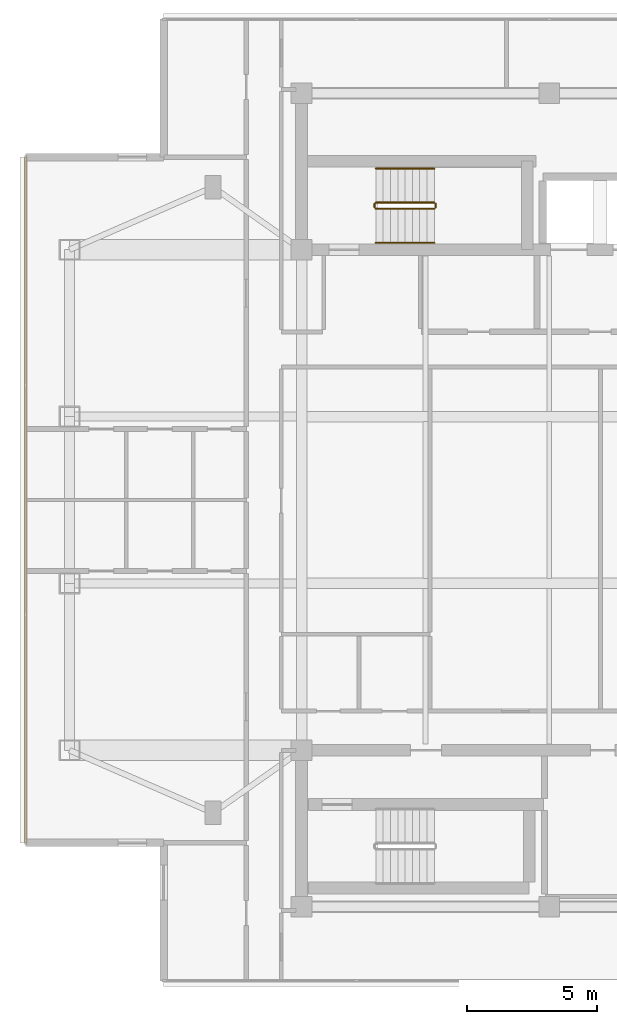
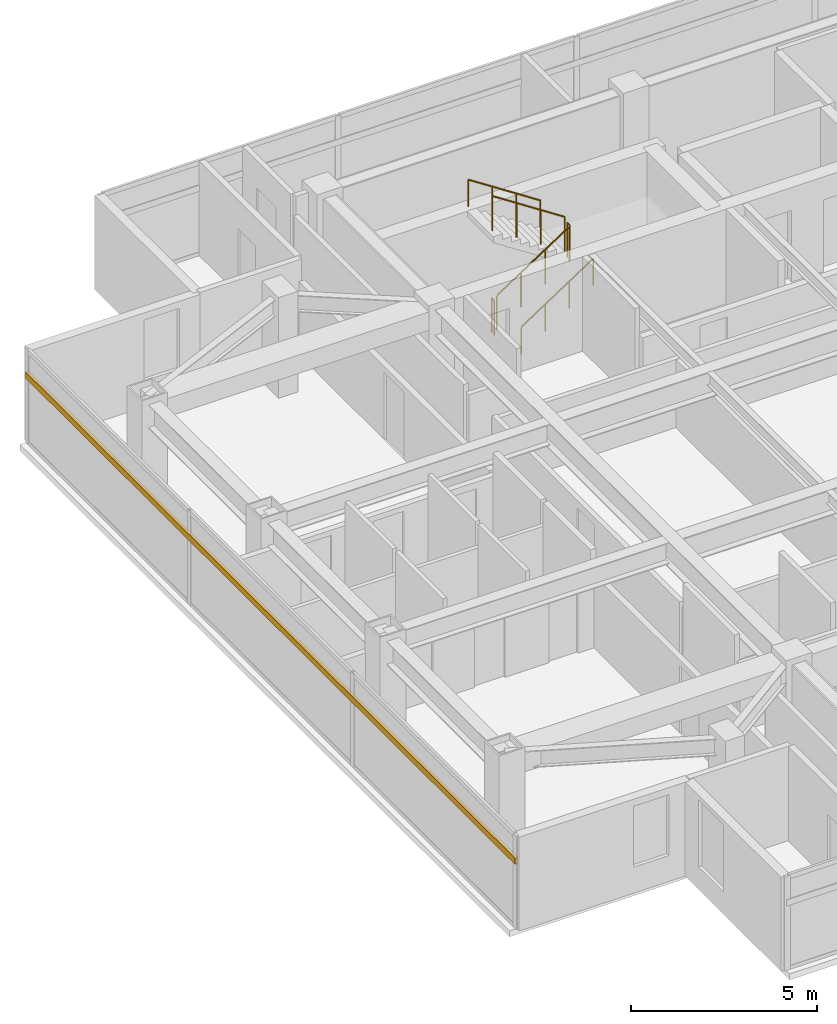
# One storey, part 11 of 12: 6 railings, 1 shading device.
"""IFC4 building model written with IfcOpenShell, lengths in metres."""

from ifc_helpers import new_model, si_unit, direction, frame, origin, origin_2d, place, context, subcontext, project, spatial, rectangle, circle, extrude, material, material_profile, profile_set, type_object, element, save


model = new_model("IFC4")

# Units and contexts
model_context = context("Model", 3, precision=1e-05, world=origin(), true_north=direction((0.0, 1.0)))
body_context = subcontext(model_context, "Body", "Model", "MODEL_VIEW")
ifc_project = project(units=[si_unit("LENGTHUNIT", "METRE"), si_unit("AREAUNIT", "SQUARE_METRE"), si_unit("VOLUMEUNIT", "CUBIC_METRE"), si_unit("PLANEANGLEUNIT", "RADIAN"), si_unit("MASSUNIT", "GRAM", prefix="KILO")], contexts=[model_context])

# Site, building, storey
site_placement = place(None, origin())
site = spatial("IfcSite", under=ifc_project, at=site_placement, CompositionType="ELEMENT")
building_placement = place(site_placement, origin())
building = spatial("IfcBuilding", under=site, at=building_placement, Name="Mirazonda Arch Towers", CompositionType="ELEMENT")
storey_placement = place(building_placement, frame((0.0, 0.0, 219.39990234375)))
storey = spatial("IfcBuildingStorey", under=building, at=storey_placement, Name="L62", CompositionType="ELEMENT", Elevation=219.39990234375)

# Shading device
ifc_material_1 = material(Name="Kiln-Fired Architectural Terracotta", Category="masonry")
ifc_material_profile = material_profile(ifc_material_1, rectangle(XDim=0.10009765625, YDim=0.199951171875, at=origin_2d()), Name="TERRA-BAG-100x200")
ifc_profile_set = profile_set([ifc_material_profile], Name="Kiln-Fired Architectural Terracotta")
shading_device_type = type_object("IfcShadingDeviceType", Name="BAGUETTE-2", PredefinedType="USERDEFINED", material=ifc_profile_set)
shading_device_placement = place(storey_placement, frame((0.419921875, 41.14990234375, 2.2177734375), z_axis=(0.0, -1.0, 0.0), x_axis=(1.0, 0.0, 0.0)))
element("IfcShadingDevice", 1, at=shading_device_placement, inside=storey, type_object=shading_device_type, Name="L62 Glazed Terracotta Sun-Screen Baguette CW-L62-T1-W", ObjectType="BAGUETTE", PredefinedType="USERDEFINED", context=body_context, shape_type="SweptSolid", body=[
    extrude(rectangle(XDim=0.10009765625, YDim=0.199951171875, at=origin_2d()), origin(), (0.0, 0.0, 1.0), 26.2998046875),
])

# Railings
ifc_material_2 = material(Name="Architectural Brushed Steel S355", Category="steel")
railing_type_1 = type_object("IfcRailingType", Name="GUARD-STAIR-1120", PredefinedType="GUARDRAIL", material=ifc_material_2)
railing_1_placement = place(storey_placement, frame((13.85009765625, 39.169921875, 0.183349609375)))
element("IfcRailing", 2, at=railing_1_placement, inside=storey, type_object=railing_type_1, Name="L62 ST-T1N stair guard 1", PredefinedType="GUARDRAIL", context=body_context, shape_type="SweptSolid", body=[
    extrude(circle(Radius=0.02392578125, at=origin_2d()), frame((0.0, 0.0, 1.1259765625), z_axis=(0.836595146698, 0.0, 0.547821650285), x_axis=(0.0, 1.0, 0.0)), (0.0, 0.0, 1.0), 2.677490234375),
    extrude(circle(Radius=0.02099609375, at=origin_2d()), origin(), (0.0, 0.0, 1.0), 1.101806640625),
    extrude(circle(Radius=0.02099609375, at=origin_2d()), frame((0.74658203125, 0.0, 0.489013671875)), (0.0, 0.0, 1.0), 1.101806640625),
    extrude(circle(Radius=0.02099609375, at=origin_2d()), frame((1.493408203125, 0.0, 0.977783203125)), (0.0, 0.0, 1.0), 1.101806640625),
    extrude(circle(Radius=0.02099609375, at=origin_2d()), frame((2.239990234375, 0.0, 1.466796875)), (0.0, 0.0, 1.0), 1.101806640625),
])
railing_2_placement = place(storey_placement, frame((16.139892578125, 39.219970703125, 1.650146484375)))
element("IfcRailing", 3, at=railing_2_placement, inside=storey, type_object=railing_type_1, Name="L62 ST-T1N stair guard 2", PredefinedType="GUARDRAIL", context=body_context, shape_type="SweptSolid", body=[
    extrude(circle(Radius=0.02392578125, at=origin_2d()), frame((0.0, 0.0, 1.1259765625), z_axis=(0.0, 1.0, 0.0), x_axis=(-1.0, 0.0, 0.0)), (0.0, 0.0, 1.0), 0.14013671875),
    extrude(circle(Radius=0.02099609375, at=origin_2d()), origin(), (0.0, 0.0, 1.0), 1.101806640625),
    extrude(circle(Radius=0.02099609375, at=origin_2d()), frame((0.0, 0.14013671875, 0.0)), (0.0, 0.0, 1.0), 1.101806640625),
])
railing_3_placement = place(storey_placement, frame((16.090087890625, 39.409912109375, 1.83349609375)))
element("IfcRailing", 4, at=railing_3_placement, inside=storey, type_object=railing_type_1, Name="L62 ST-T1N stair guard 3", PredefinedType="GUARDRAIL", context=body_context, shape_type="SweptSolid", body=[
    extrude(circle(Radius=0.02392578125, at=origin_2d()), frame((0.0, 0.0, 1.1259765625), z_axis=(-0.836636935527, 0.0, 0.547757827979), x_axis=(0.0, -1.0, 0.0)), (0.0, 0.0, 1.0), 2.677490234375),
    extrude(circle(Radius=0.02099609375, at=origin_2d()), origin(), (0.0, 0.0, 1.0), 1.101806640625),
    extrude(circle(Radius=0.02099609375, at=origin_2d()), frame((-0.74658203125, 0.0, 0.48876953125)), (0.0, 0.0, 1.0), 1.101806640625),
    extrude(circle(Radius=0.02099609375, at=origin_2d()), frame((-1.493408203125, 0.0, 0.977783203125)), (0.0, 0.0, 1.0), 1.101806640625),
    extrude(circle(Radius=0.02099609375, at=origin_2d()), frame((-2.239990234375, 0.0, 1.466552734375)), (0.0, 0.0, 1.0), 1.101806640625),
])
railing_4_placement = place(storey_placement, frame((13.800048828125, 39.219970703125, 0.0)))
element("IfcRailing", 5, at=railing_4_placement, inside=storey, type_object=railing_type_1, Name="L62 ST-T1N stair guard 4", PredefinedType="GUARDRAIL", context=body_context, shape_type="SweptSolid", body=[
    extrude(circle(Radius=0.02392578125, at=origin_2d()), frame((0.0, 0.0, 1.1259765625), z_axis=(0.0, 1.0, 0.0), x_axis=(-1.0, 0.0, 0.0)), (0.0, 0.0, 1.0), 0.14013671875),
    extrude(circle(Radius=0.02099609375, at=origin_2d()), origin(), (0.0, 0.0, 1.0), 1.101806640625),
    extrude(circle(Radius=0.02099609375, at=origin_2d()), frame((0.0, 0.14013671875, 0.0)), (0.0, 0.0, 1.0), 1.101806640625),
])
railing_type_2 = type_object("IfcRailingType", Name="HANDRAIL-915", PredefinedType="HANDRAIL", material=ifc_material_2)
railing_5_placement = place(storey_placement, frame((13.85009765625, 37.8701171875, 0.183349609375)))
element("IfcRailing", 6, at=railing_5_placement, inside=storey, type_object=railing_type_2, Name="L62 ST-T1N stair handrail 1", PredefinedType="HANDRAIL", context=body_context, shape_type="SweptSolid", body=[
    extrude(circle(Radius=0.02392578125, at=origin_2d()), frame((0.0, 0.0, 0.8759765625), z_axis=(0.836595146698, 0.0, 0.547821650285), x_axis=(0.0, 1.0, 0.0)), (0.0, 0.0, 1.0), 2.677490234375),
    extrude(circle(Radius=0.02099609375, at=origin_2d()), origin(), (0.0, 0.0, 1.0), 0.851806640625),
    extrude(circle(Radius=0.02099609375, at=origin_2d()), frame((0.74658203125, 0.0, 0.489013671875)), (0.0, 0.0, 1.0), 0.851806640625),
    extrude(circle(Radius=0.02099609375, at=origin_2d()), frame((1.493408203125, 0.0, 0.977783203125)), (0.0, 0.0, 1.0), 0.851806640625),
    extrude(circle(Radius=0.02099609375, at=origin_2d()), frame((2.239990234375, 0.0, 1.466796875)), (0.0, 0.0, 1.0), 0.851806640625),
])
railing_6_placement = place(storey_placement, frame((16.090087890625, 40.7099609375, 1.83349609375)))
element("IfcRailing", 7, at=railing_6_placement, inside=storey, type_object=railing_type_2, Name="L62 ST-T1N stair handrail 2", PredefinedType="HANDRAIL", context=body_context, shape_type="SweptSolid", body=[
    extrude(circle(Radius=0.02392578125, at=origin_2d()), frame((0.0, 0.0, 0.8759765625), z_axis=(-0.836636935527, 0.0, 0.547757827979), x_axis=(0.0, -1.0, 0.0)), (0.0, 0.0, 1.0), 2.677490234375),
    extrude(circle(Radius=0.02099609375, at=origin_2d()), origin(), (0.0, 0.0, 1.0), 0.851806640625),
    extrude(circle(Radius=0.02099609375, at=origin_2d()), frame((-0.74658203125, 0.0, 0.48876953125)), (0.0, 0.0, 1.0), 0.851806640625),
    extrude(circle(Radius=0.02099609375, at=origin_2d()), frame((-1.493408203125, 0.0, 0.977783203125)), (0.0, 0.0, 1.0), 0.851806640625),
    extrude(circle(Radius=0.02099609375, at=origin_2d()), frame((-2.239990234375, 0.0, 1.466552734375)), (0.0, 0.0, 1.0), 0.851806640625),
])

save(model, "model.ifc")
